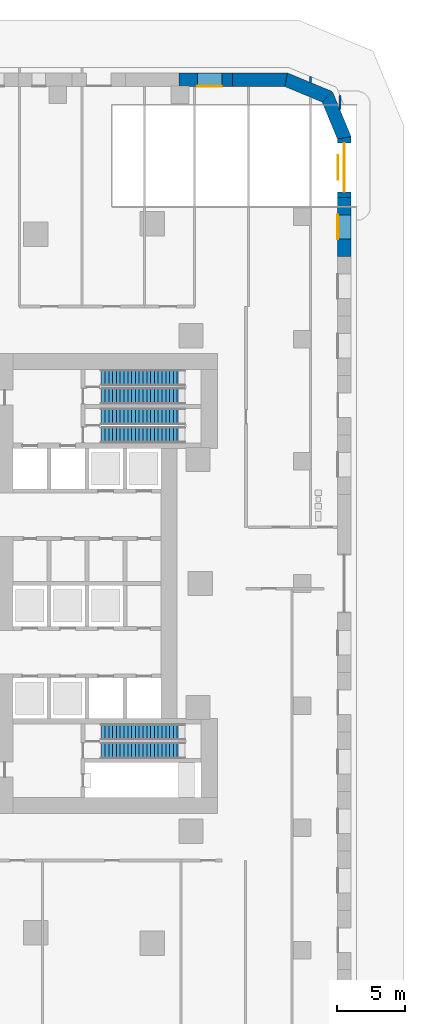
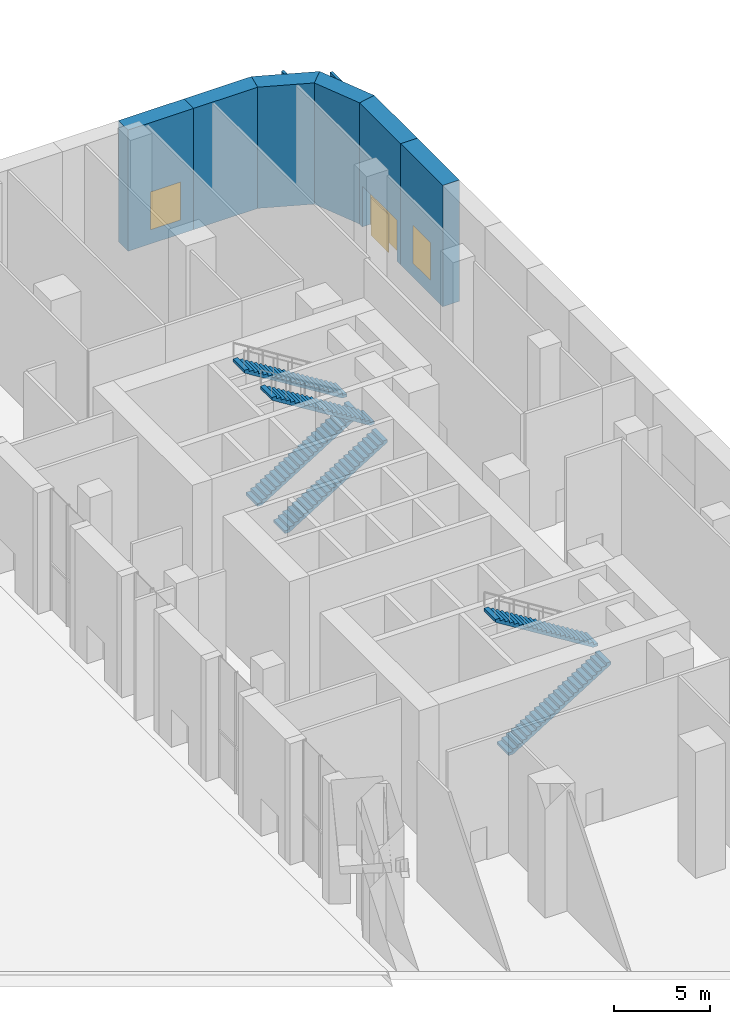
# One storey, part 14 of 22: 8 walls, 6 stair flights, 2 doors, 2 windows, 4 openings, 3 elements without a shape of their own.
"""IFC4 building model written with IfcOpenShell, lengths in metres."""

from ifc_helpers import new_model, si_unit, direction, frame, frame_2d, origin, place, context, subcontext, project, spatial, polyline, rectangle, outline, extrude, material, layer, layer_set, type_object, element, fill, aggregate, save


model = new_model("IFC4")

# Units and contexts
model_context = context("Model", 3, precision=1e-05, world=origin(), true_north=direction((0.0, 1.0)))
body_context = subcontext(model_context, "Body", "Model", "MODEL_VIEW")
ifc_project = project(units=[si_unit("LENGTHUNIT", "METRE"), si_unit("AREAUNIT", "SQUARE_METRE"), si_unit("VOLUMEUNIT", "CUBIC_METRE"), si_unit("PLANEANGLEUNIT", "RADIAN"), si_unit("MASSUNIT", "GRAM", prefix="KILO")], contexts=[model_context])

# Site, building, storey
site_placement = place(None, origin())
site = spatial("IfcSite", under=ifc_project, at=site_placement, CompositionType="ELEMENT")
building_placement = place(site_placement, origin())
building = spatial("IfcBuilding", under=site, at=building_placement, Name="Ostrand Prow Hotel Tower", CompositionType="ELEMENT")
storey_placement = place(building_placement, origin())
storey = spatial("IfcBuildingStorey", under=building, at=storey_placement, Name="L00", CompositionType="ELEMENT", Elevation=0.0)

# Walls
ifc_material_1 = material(Name="Plasterboard partition")
ifc_layer_1 = layer(ifc_material_1, 0.14990234375)
ifc_layer_set_1 = layer_set([ifc_layer_1], Name="Plasterboard partition")
wall_type_1 = type_object("IfcWallType", Name="Partition 150 room partition", PredefinedType="PARTITIONING", material=ifc_layer_set_1)
wall_1_placement = place(storey_placement, frame((72.630615234375, 36.8916015625, 0.0), z_axis=(0.0, 0.0, 1.0), x_axis=(0.0, 1.0, 0.0)))
element("IfcWall", 1, at=wall_1_placement, inside=storey, type_object=wall_type_1, Name="ROOM PARTITION", PredefinedType="PARTITIONING", context=body_context, shape_type="SweptSolid", body=[
    extrude(rectangle(XDim=0.43310546875, YDim=0.14990234375, at=frame_2d((0.216552734375, 0.0))), origin(), (0.0, 0.0, 1.0), 7.64990234375),
])
wall_2_placement = place(storey_placement, frame((74.77490234375, 34.91259765625, 0.0), z_axis=(0.0, 0.0, 1.0), x_axis=(0.0, 1.0, 0.0)))
element("IfcWall", 2, at=wall_2_placement, inside=storey, type_object=wall_type_1, Name="ROOM PARTITION", PredefinedType="PARTITIONING", context=body_context, shape_type="SweptSolid", body=[
    extrude(rectangle(XDim=1.04541015625, YDim=0.14990234375, at=frame_2d((0.522705078125, 0.0))), origin(), (0.0, 0.0, 1.0), 7.64990234375),
])

# Wall, opening, window
ifc_material_2 = material(Name="Precast concrete C40/50", Category="concrete")
ifc_layer_2 = layer(ifc_material_2, 1.0)
ifc_layer_set_2 = layer_set([ifc_layer_2], Name="Precast concrete C40/50")
wall_type_2 = type_object("IfcWallType", Name="Portal pier wall 1000 mm", PredefinedType="NOTDEFINED", material=ifc_layer_set_2)
wall_3_placement = place(storey_placement, frame((75.10009765625, 24.068603515625, 0.0), z_axis=(0.0, 0.0, 1.0), x_axis=(0.0, 1.0, 0.0)))
wall_3 = element("IfcWall", 3, at=wall_3_placement, inside=storey, type_object=wall_type_2, Name="Portal pier wall L00-PP121", PredefinedType="NOTDEFINED", context=body_context, shape_type="SweptSolid", body=[
    extrude(outline(polyline([(0.0, -0.5), (4.376220703125, -0.5), (4.376220703125, 0.5), (0.0, 0.5), (0.0, -0.5)])), origin(), (0.0, 0.0, 1.0), 7.699951171875),
])
opening_1_placement = place(wall_3_placement, frame((1.2880859375, 0.0, 0.89990234375)))
opening_1 = element("IfcOpeningElement", 4, at=opening_1_placement, cuts=wall_3, Name="Opening WP2", PredefinedType="OPENING", context=body_context, shape_type="SweptSolid", body=[
    extrude(rectangle(XDim=1.800048828125, YDim=2.39990234375, at=frame_2d((0.89990234375, 1.199951171875))), frame((0.0, 0.510009765625, 0.0), z_axis=(0.0, -1.0, 0.0), x_axis=(1.0, 0.0, 0.0)), (0.0, 0.0, 1.0), 1.02001953125),
])
ifc_material_3 = material(Name="Insulated glass in bronze anodised frame", Category="glass")
window_type = type_object("IfcWindowType", Name="Portal window 1800x2400", PartitioningType="SINGLE_PANEL", PredefinedType="WINDOW", material=ifc_material_3)
window_1_placement = place(opening_1_placement, origin())
window_1 = element("IfcWindow", 5, at=window_1_placement, inside=storey, type_object=window_type, Name="Portal window L00-PP121", OverallHeight=2.39990234375, OverallWidth=1.800048828125, PartitioningType="SINGLE_PANEL", PredefinedType="WINDOW", context=body_context, shape_type="SweptSolid", body=[
    extrude(rectangle(XDim=1.800048828125, YDim=2.39990234375, at=frame_2d((0.89990234375, 1.199951171875))), frame((0.0, 0.5, 0.0), z_axis=(0.0, -1.0, 0.0), x_axis=(1.0, 0.0, 0.0)), (0.0, 0.0, 1.0), 0.06005859375),
])
fill(opening_1, window_1)

# Wall, openings, doors
wall_4_placement = place(storey_placement, frame((75.10009765625, 28.44482421875, 0.0), z_axis=(0.0, 0.0, 1.0), x_axis=(0.0, 1.0, 0.0)))
wall_4 = element("IfcWall", 6, at=wall_4_placement, inside=storey, type_object=wall_type_2, Name="Portal pier wall L00-PP122", PredefinedType="NOTDEFINED", context=body_context, shape_type="SweptSolid", body=[
    extrude(outline(polyline([(0.0, -0.5), (4.475830078125, -0.5), (4.276611328125, 0.5), (0.0, 0.5), (0.0, -0.5)])), origin(), (0.0, 0.0, 1.0), 7.699951171875),
])
opening_2_placement = place(wall_4_placement, frame((1.2880859375, 0.0, 0.0)))
opening_2 = element("IfcOpeningElement", 7, at=opening_2_placement, cuts=wall_4, Name="Opening E09", PredefinedType="OPENING", context=body_context, shape_type="SweptSolid", body=[
    extrude(rectangle(XDim=1.800048828125, YDim=2.39990234375, at=frame_2d((0.89990234375, 1.199951171875))), frame((0.0, 0.510009765625, 0.0), z_axis=(0.0, -1.0, 0.0), x_axis=(1.0, 0.0, 0.0)), (0.0, 0.0, 1.0), 1.02001953125),
])
opening_3_placement = place(wall_4_placement, frame((0.38818359375, 0.0, 0.0)))
opening_3 = element("IfcOpeningElement", 8, at=opening_3_placement, cuts=wall_4, Name="Opening E15", PredefinedType="OPENING", context=body_context, shape_type="SweptSolid", body=[
    extrude(rectangle(XDim=3.60009765625, YDim=2.60009765625, at=frame_2d((1.800048828125, 1.300048828125))), frame((0.0, 0.510009765625, 0.0), z_axis=(0.0, -1.0, 0.0), x_axis=(1.0, 0.0, 0.0)), (0.0, 0.0, 1.0), 1.02001953125),
])
ifc_material_4 = material(Name="Bronze anodised aluminium and glass", Category="aluminium")
door_type_1 = type_object("IfcDoorType", Name="Entrance double door 1800x2400", OperationType="DOUBLE_DOOR_SINGLE_SWING", PredefinedType="DOOR", material=ifc_material_4)
door_1_placement = place(opening_2_placement, origin())
door_1 = element("IfcDoor", 9, at=door_1_placement, inside=storey, type_object=door_type_1, Name="Entrance door E09 DE1", OperationType="DOUBLE_DOOR_SINGLE_SWING", OverallHeight=2.39990234375, OverallWidth=1.800048828125, PredefinedType="DOOR", context=body_context, shape_type="SweptSolid", body=[
    extrude(rectangle(XDim=1.800048828125, YDim=2.39990234375, at=frame_2d((0.89990234375, 1.199951171875))), frame((0.0, 0.4951171875, 0.0), z_axis=(0.0, -1.0, 0.0), x_axis=(1.0, 0.0, 0.0)), (0.0, 0.0, 1.0), 0.050048828125),
])
fill(opening_2, door_1)
ifc_material_5 = material(Name="Galvanised steel", Category="steel")
door_type_2 = type_object("IfcDoorType", Name="Vehicle gate roller shutter 3600x2600", OperationType="ROLLINGUP", PredefinedType="DOOR", material=ifc_material_5)
door_2_placement = place(opening_3_placement, origin())
door_2 = element("IfcDoor", 10, at=door_2_placement, inside=storey, type_object=door_type_2, Name="Vehicle gate E15 DV2", OperationType="ROLLINGUP", OverallHeight=2.60009765625, OverallWidth=3.60009765625, PredefinedType="DOOR", context=body_context, shape_type="SweptSolid", body=[
    extrude(rectangle(XDim=3.60009765625, YDim=2.60009765625, at=frame_2d((1.800048828125, 1.300048828125))), frame((0.0, 0.02490234375, 0.0), z_axis=(0.0, -1.0, 0.0), x_axis=(1.0, 0.0, 0.0)), (0.0, 0.0, 1.0), 0.050048828125),
])
fill(opening_3, door_2)

# Walls
wall_5_placement = place(storey_placement, frame((75.10009765625, 32.821044921875, 0.0), z_axis=(0.0, 0.0, 1.0), x_axis=(-0.382724875529, 0.923862365102, 0.0)))
element("IfcWall", 11, at=wall_5_placement, inside=storey, type_object=wall_type_2, Name="Portal pier wall L00-PP123", PredefinedType="NOTDEFINED", context=body_context, shape_type="SweptSolid", body=[
    extrude(outline(polyline([(-0.099609375, -0.5), (3.48193359375, -0.5), (3.06787109375, 0.5), (0.099609375, 0.5), (-0.099609375, -0.5)])), origin(), (0.0, 0.0, 1.0), 7.699951171875),
])
wall_6_placement = place(storey_placement, frame((73.8466796875, 35.8466796875, 0.0), z_axis=(0.0, 0.0, 1.0), x_axis=(-0.923862365102, 0.382724875529, 0.0)))
element("IfcWall", 12, at=wall_6_placement, inside=storey, type_object=wall_type_2, Name="Portal pier wall L00-PP124", PredefinedType="NOTDEFINED", context=body_context, shape_type="SweptSolid", body=[
    extrude(outline(polyline([(-0.20703125, -0.5), (3.37451171875, -0.5), (3.17529296875, 0.5), (0.20703125, 0.5), (-0.20703125, -0.5)])), origin(), (0.0, 0.0, 1.0), 7.699951171875),
])
wall_7_placement = place(storey_placement, frame((70.821044921875, 37.10009765625, 0.0), z_axis=(0.0, 0.0, 1.0), x_axis=(-1.0, 0.0, 0.0)))
element("IfcWall", 13, at=wall_7_placement, inside=storey, type_object=wall_type_2, Name="Portal pier wall L00-PP125", PredefinedType="NOTDEFINED", context=body_context, shape_type="SweptSolid", body=[
    extrude(outline(polyline([(-0.099609375, -0.5), (3.9404296875, -0.5), (3.9404296875, 0.5), (0.099609375, 0.5), (-0.099609375, -0.5)])), origin(), (0.0, 0.0, 1.0), 7.699951171875),
])

# Wall, opening, window
wall_8_placement = place(storey_placement, frame((66.880615234375, 37.10009765625, 0.0), z_axis=(0.0, 0.0, 1.0), x_axis=(-1.0, 0.0, 0.0)))
wall_8 = element("IfcWall", 14, at=wall_8_placement, inside=storey, type_object=wall_type_2, Name="Portal pier wall L00-PP126", PredefinedType="NOTDEFINED", context=body_context, shape_type="SweptSolid", body=[
    extrude(outline(polyline([(0.0, -0.5), (3.9404296875, -0.5), (3.9404296875, 0.5), (0.0, 0.5), (0.0, -0.5)])), origin(), (0.0, 0.0, 1.0), 7.699951171875),
])
opening_4_placement = place(wall_8_placement, frame((0.790283203125, 0.0, 0.89990234375)))
opening_4 = element("IfcOpeningElement", 15, at=opening_4_placement, cuts=wall_8, Name="Opening WP2", PredefinedType="OPENING", context=body_context, shape_type="SweptSolid", body=[
    extrude(rectangle(XDim=1.800048828125, YDim=2.39990234375, at=frame_2d((0.89990234375, 1.199951171875))), frame((0.0, 0.510009765625, 0.0), z_axis=(0.0, -1.0, 0.0), x_axis=(1.0, 0.0, 0.0)), (0.0, 0.0, 1.0), 1.02001953125),
])
window_2_placement = place(opening_4_placement, origin())
window_2 = element("IfcWindow", 16, at=window_2_placement, inside=storey, type_object=window_type, Name="Portal window L00-PP126", OverallHeight=2.39990234375, OverallWidth=1.800048828125, PartitioningType="SINGLE_PANEL", PredefinedType="WINDOW", context=body_context, shape_type="SweptSolid", body=[
    extrude(rectangle(XDim=1.800048828125, YDim=2.39990234375, at=frame_2d((0.89990234375, 1.199951171875))), frame((0.0, 0.5, 0.0), z_axis=(0.0, -1.0, 0.0), x_axis=(1.0, 0.0, 0.0)), (0.0, 0.0, 1.0), 0.06005859375),
])
fill(opening_4, window_2)

# Stair, stair flights
ifc_material_6 = material(Name="Concrete C40/50", Category="concrete")
stair_type = type_object("IfcStairType", Name="Exit stair 1200 lower zone", PredefinedType="HALF_TURN_STAIR", material=ifc_material_6)
stair_1_placement = place(storey_placement, origin())
stair_1 = element("IfcStair", 17, at=stair_1_placement, inside=storey, type_object=stair_type, Name="L00 ST1A", PredefinedType="HALF_TURN_STAIR")
ifc_material_7 = material(Name="Concrete C40/50", Category="concrete")
stair_flight_type = type_object("IfcStairFlightType", Name="Stair flight 1200 concrete", PredefinedType="STRAIGHT", material=ifc_material_7)
stair_flight_1_placement = place(storey_placement, frame((57.199951171875, 10.949951171875, 0.0), z_axis=(0.0, 0.0, 1.0), x_axis=(1.0, 0.0, 0.0)))
stair_flight_1 = element("IfcStairFlight", 18, at=stair_flight_1_placement, type_object=stair_flight_type, Name="ST1A flight 1", NumberOfRisers=23, NumberOfTreads=22, PredefinedType="STRAIGHT", RiserHeight=0.173913043, TreadLength=0.28, context=body_context, shape_type="SweptSolid", body=[
    extrude(outline(polyline([(0.0, 0.0), (0.0, 0.173828125), (0.280029296875, 0.173828125), (0.280029296875, 0.347900390625), (0.56005859375, 0.347900390625), (0.56005859375, 0.521728515625), (0.840087890625, 0.521728515625), (0.840087890625, 0.695556640625), (1.1201171875, 0.695556640625), (1.1201171875, 0.86962890625), (1.39990234375, 0.86962890625), (1.39990234375, 1.04345703125), (1.679931640625, 1.04345703125), (1.679931640625, 1.21728515625), (1.9599609375, 1.21728515625), (1.9599609375, 1.391357421875), (2.239990234375, 1.391357421875), (2.239990234375, 1.565185546875), (2.52001953125, 1.565185546875), (2.52001953125, 1.739013671875), (2.800048828125, 1.739013671875), (2.800048828125, 1.9130859375), (3.080078125, 1.9130859375), (3.080078125, 2.0869140625), (3.360107421875, 2.0869140625), (3.360107421875, 2.260986328125), (3.639892578125, 2.260986328125), (3.639892578125, 2.434814453125), (3.919921875, 2.434814453125), (3.919921875, 2.608642578125), (4.199951171875, 2.608642578125), (4.199951171875, 2.78271484375), (4.47998046875, 2.78271484375), (4.47998046875, 2.95654296875), (4.760009765625, 2.95654296875), (4.760009765625, 3.13037109375), (5.0400390625, 3.13037109375), (5.0400390625, 3.304443359375), (5.320068359375, 3.304443359375), (5.320068359375, 3.478271484375), (5.60009765625, 3.478271484375), (5.60009765625, 3.652099609375), (5.8798828125, 3.652099609375), (5.8798828125, 3.826171875), (6.159912109375, 3.826171875), (6.159912109375, 4.0), (6.159912109375, 3.649658203125), (0.2841796875, 0.0), (0.0, 0.0)])), frame((0.0, 0.60009765625, 0.0), z_axis=(0.0, -1.0, 0.0), x_axis=(1.0, 0.0, 0.0)), (0.0, 0.0, 1.0), 1.199951171875),
])
stair_flight_2_placement = place(storey_placement, frame((63.360107421875, 12.300048828125, 4.0), z_axis=(0.0, 0.0, 1.0), x_axis=(-1.0, 0.0, 0.0)))
stair_flight_2 = element("IfcStairFlight", 19, at=stair_flight_2_placement, type_object=stair_flight_type, Name="ST1A flight 2", NumberOfRisers=23, NumberOfTreads=22, PredefinedType="STRAIGHT", RiserHeight=0.173913043, TreadLength=0.28, context=body_context, shape_type="SweptSolid", body=[
    extrude(outline(polyline([(0.0, 0.0), (0.0, 0.173828125), (0.280029296875, 0.173828125), (0.280029296875, 0.347900390625), (0.56005859375, 0.347900390625), (0.56005859375, 0.521728515625), (0.840087890625, 0.521728515625), (0.840087890625, 0.695556640625), (1.1201171875, 0.695556640625), (1.1201171875, 0.86962890625), (1.39990234375, 0.86962890625), (1.39990234375, 1.04345703125), (1.679931640625, 1.04345703125), (1.679931640625, 1.21728515625), (1.9599609375, 1.21728515625), (1.9599609375, 1.391357421875), (2.239990234375, 1.391357421875), (2.239990234375, 1.565185546875), (2.52001953125, 1.565185546875), (2.52001953125, 1.739013671875), (2.800048828125, 1.739013671875), (2.800048828125, 1.9130859375), (3.080078125, 1.9130859375), (3.080078125, 2.0869140625), (3.360107421875, 2.0869140625), (3.360107421875, 2.260986328125), (3.639892578125, 2.260986328125), (3.639892578125, 2.434814453125), (3.919921875, 2.434814453125), (3.919921875, 2.608642578125), (4.199951171875, 2.608642578125), (4.199951171875, 2.78271484375), (4.47998046875, 2.78271484375), (4.47998046875, 2.95654296875), (4.760009765625, 2.95654296875), (4.760009765625, 3.13037109375), (5.0400390625, 3.13037109375), (5.0400390625, 3.304443359375), (5.320068359375, 3.304443359375), (5.320068359375, 3.478271484375), (5.60009765625, 3.478271484375), (5.60009765625, 3.652099609375), (5.8798828125, 3.652099609375), (5.8798828125, 3.826171875), (6.159912109375, 3.826171875), (6.159912109375, 4.0), (6.159912109375, 3.649658203125), (0.2841796875, 0.0), (0.0, 0.0)])), frame((0.0, 0.60009765625, 0.0), z_axis=(0.0, -1.0, 0.0), x_axis=(1.0, 0.0, 0.0)), (0.0, 0.0, 1.0), 1.199951171875),
])
aggregate(stair_1, [stair_flight_1, stair_flight_2])

stair_2_placement = place(storey_placement, origin())
stair_2 = element("IfcStair", 20, at=stair_2_placement, inside=storey, type_object=stair_type, Name="L00 ST3A", PredefinedType="HALF_TURN_STAIR")
stair_flight_3_placement = place(storey_placement, frame((57.199951171875, 13.800048828125, 0.0), z_axis=(0.0, 0.0, 1.0), x_axis=(1.0, 0.0, 0.0)))
stair_flight_3 = element("IfcStairFlight", 21, at=stair_flight_3_placement, type_object=stair_flight_type, Name="ST3A flight 1", NumberOfRisers=23, NumberOfTreads=22, PredefinedType="STRAIGHT", RiserHeight=0.173913043, TreadLength=0.28, context=body_context, shape_type="SweptSolid", body=[
    extrude(outline(polyline([(0.0, 0.0), (0.0, 0.173828125), (0.280029296875, 0.173828125), (0.280029296875, 0.347900390625), (0.56005859375, 0.347900390625), (0.56005859375, 0.521728515625), (0.840087890625, 0.521728515625), (0.840087890625, 0.695556640625), (1.1201171875, 0.695556640625), (1.1201171875, 0.86962890625), (1.39990234375, 0.86962890625), (1.39990234375, 1.04345703125), (1.679931640625, 1.04345703125), (1.679931640625, 1.21728515625), (1.9599609375, 1.21728515625), (1.9599609375, 1.391357421875), (2.239990234375, 1.391357421875), (2.239990234375, 1.565185546875), (2.52001953125, 1.565185546875), (2.52001953125, 1.739013671875), (2.800048828125, 1.739013671875), (2.800048828125, 1.9130859375), (3.080078125, 1.9130859375), (3.080078125, 2.0869140625), (3.360107421875, 2.0869140625), (3.360107421875, 2.260986328125), (3.639892578125, 2.260986328125), (3.639892578125, 2.434814453125), (3.919921875, 2.434814453125), (3.919921875, 2.608642578125), (4.199951171875, 2.608642578125), (4.199951171875, 2.78271484375), (4.47998046875, 2.78271484375), (4.47998046875, 2.95654296875), (4.760009765625, 2.95654296875), (4.760009765625, 3.13037109375), (5.0400390625, 3.13037109375), (5.0400390625, 3.304443359375), (5.320068359375, 3.304443359375), (5.320068359375, 3.478271484375), (5.60009765625, 3.478271484375), (5.60009765625, 3.652099609375), (5.8798828125, 3.652099609375), (5.8798828125, 3.826171875), (6.159912109375, 3.826171875), (6.159912109375, 4.0), (6.159912109375, 3.649658203125), (0.2841796875, 0.0), (0.0, 0.0)])), frame((0.0, 0.60009765625, 0.0), z_axis=(0.0, -1.0, 0.0), x_axis=(1.0, 0.0, 0.0)), (0.0, 0.0, 1.0), 1.199951171875),
])
stair_flight_4_placement = place(storey_placement, frame((63.360107421875, 15.14990234375, 4.0), z_axis=(0.0, 0.0, 1.0), x_axis=(-1.0, 0.0, 0.0)))
stair_flight_4 = element("IfcStairFlight", 22, at=stair_flight_4_placement, type_object=stair_flight_type, Name="ST3A flight 2", NumberOfRisers=23, NumberOfTreads=22, PredefinedType="STRAIGHT", RiserHeight=0.173913043, TreadLength=0.28, context=body_context, shape_type="SweptSolid", body=[
    extrude(outline(polyline([(0.0, 0.0), (0.0, 0.173828125), (0.280029296875, 0.173828125), (0.280029296875, 0.347900390625), (0.56005859375, 0.347900390625), (0.56005859375, 0.521728515625), (0.840087890625, 0.521728515625), (0.840087890625, 0.695556640625), (1.1201171875, 0.695556640625), (1.1201171875, 0.86962890625), (1.39990234375, 0.86962890625), (1.39990234375, 1.04345703125), (1.679931640625, 1.04345703125), (1.679931640625, 1.21728515625), (1.9599609375, 1.21728515625), (1.9599609375, 1.391357421875), (2.239990234375, 1.391357421875), (2.239990234375, 1.565185546875), (2.52001953125, 1.565185546875), (2.52001953125, 1.739013671875), (2.800048828125, 1.739013671875), (2.800048828125, 1.9130859375), (3.080078125, 1.9130859375), (3.080078125, 2.0869140625), (3.360107421875, 2.0869140625), (3.360107421875, 2.260986328125), (3.639892578125, 2.260986328125), (3.639892578125, 2.434814453125), (3.919921875, 2.434814453125), (3.919921875, 2.608642578125), (4.199951171875, 2.608642578125), (4.199951171875, 2.78271484375), (4.47998046875, 2.78271484375), (4.47998046875, 2.95654296875), (4.760009765625, 2.95654296875), (4.760009765625, 3.13037109375), (5.0400390625, 3.13037109375), (5.0400390625, 3.304443359375), (5.320068359375, 3.304443359375), (5.320068359375, 3.478271484375), (5.60009765625, 3.478271484375), (5.60009765625, 3.652099609375), (5.8798828125, 3.652099609375), (5.8798828125, 3.826171875), (6.159912109375, 3.826171875), (6.159912109375, 4.0), (6.159912109375, 3.649658203125), (0.2841796875, 0.0), (0.0, 0.0)])), frame((0.0, 0.60009765625, 0.0), z_axis=(0.0, -1.0, 0.0), x_axis=(1.0, 0.0, 0.0)), (0.0, 0.0, 1.0), 1.199951171875),
])
aggregate(stair_2, [stair_flight_3, stair_flight_4])

stair_3_placement = place(storey_placement, origin())
stair_3 = element("IfcStair", 23, at=stair_3_placement, inside=storey, type_object=stair_type, Name="L00 ST2A", PredefinedType="HALF_TURN_STAIR")
stair_flight_5_placement = place(storey_placement, frame((57.199951171875, -12.300048828125, 0.0), z_axis=(0.0, 0.0, 1.0), x_axis=(1.0, 0.0, 0.0)))
stair_flight_5 = element("IfcStairFlight", 24, at=stair_flight_5_placement, type_object=stair_flight_type, Name="ST2A flight 1", NumberOfRisers=23, NumberOfTreads=22, PredefinedType="STRAIGHT", RiserHeight=0.173913043, TreadLength=0.28, context=body_context, shape_type="SweptSolid", body=[
    extrude(outline(polyline([(0.0, 0.0), (0.0, 0.173828125), (0.280029296875, 0.173828125), (0.280029296875, 0.347900390625), (0.56005859375, 0.347900390625), (0.56005859375, 0.521728515625), (0.840087890625, 0.521728515625), (0.840087890625, 0.695556640625), (1.1201171875, 0.695556640625), (1.1201171875, 0.86962890625), (1.39990234375, 0.86962890625), (1.39990234375, 1.04345703125), (1.679931640625, 1.04345703125), (1.679931640625, 1.21728515625), (1.9599609375, 1.21728515625), (1.9599609375, 1.391357421875), (2.239990234375, 1.391357421875), (2.239990234375, 1.565185546875), (2.52001953125, 1.565185546875), (2.52001953125, 1.739013671875), (2.800048828125, 1.739013671875), (2.800048828125, 1.9130859375), (3.080078125, 1.9130859375), (3.080078125, 2.0869140625), (3.360107421875, 2.0869140625), (3.360107421875, 2.260986328125), (3.639892578125, 2.260986328125), (3.639892578125, 2.434814453125), (3.919921875, 2.434814453125), (3.919921875, 2.608642578125), (4.199951171875, 2.608642578125), (4.199951171875, 2.78271484375), (4.47998046875, 2.78271484375), (4.47998046875, 2.95654296875), (4.760009765625, 2.95654296875), (4.760009765625, 3.13037109375), (5.0400390625, 3.13037109375), (5.0400390625, 3.304443359375), (5.320068359375, 3.304443359375), (5.320068359375, 3.478271484375), (5.60009765625, 3.478271484375), (5.60009765625, 3.652099609375), (5.8798828125, 3.652099609375), (5.8798828125, 3.826171875), (6.159912109375, 3.826171875), (6.159912109375, 4.0), (6.159912109375, 3.649658203125), (0.2841796875, 0.0), (0.0, 0.0)])), frame((0.0, 0.60009765625, 0.0), z_axis=(0.0, -1.0, 0.0), x_axis=(1.0, 0.0, 0.0)), (0.0, 0.0, 1.0), 1.199951171875),
])
stair_flight_6_placement = place(storey_placement, frame((63.360107421875, -10.949951171875, 4.0), z_axis=(0.0, 0.0, 1.0), x_axis=(-1.0, 0.0, 0.0)))
stair_flight_6 = element("IfcStairFlight", 25, at=stair_flight_6_placement, type_object=stair_flight_type, Name="ST2A flight 2", NumberOfRisers=23, NumberOfTreads=22, PredefinedType="STRAIGHT", RiserHeight=0.173913043, TreadLength=0.28, context=body_context, shape_type="SweptSolid", body=[
    extrude(outline(polyline([(0.0, 0.0), (0.0, 0.173828125), (0.280029296875, 0.173828125), (0.280029296875, 0.347900390625), (0.56005859375, 0.347900390625), (0.56005859375, 0.521728515625), (0.840087890625, 0.521728515625), (0.840087890625, 0.695556640625), (1.1201171875, 0.695556640625), (1.1201171875, 0.86962890625), (1.39990234375, 0.86962890625), (1.39990234375, 1.04345703125), (1.679931640625, 1.04345703125), (1.679931640625, 1.21728515625), (1.9599609375, 1.21728515625), (1.9599609375, 1.391357421875), (2.239990234375, 1.391357421875), (2.239990234375, 1.565185546875), (2.52001953125, 1.565185546875), (2.52001953125, 1.739013671875), (2.800048828125, 1.739013671875), (2.800048828125, 1.9130859375), (3.080078125, 1.9130859375), (3.080078125, 2.0869140625), (3.360107421875, 2.0869140625), (3.360107421875, 2.260986328125), (3.639892578125, 2.260986328125), (3.639892578125, 2.434814453125), (3.919921875, 2.434814453125), (3.919921875, 2.608642578125), (4.199951171875, 2.608642578125), (4.199951171875, 2.78271484375), (4.47998046875, 2.78271484375), (4.47998046875, 2.95654296875), (4.760009765625, 2.95654296875), (4.760009765625, 3.13037109375), (5.0400390625, 3.13037109375), (5.0400390625, 3.304443359375), (5.320068359375, 3.304443359375), (5.320068359375, 3.478271484375), (5.60009765625, 3.478271484375), (5.60009765625, 3.652099609375), (5.8798828125, 3.652099609375), (5.8798828125, 3.826171875), (6.159912109375, 3.826171875), (6.159912109375, 4.0), (6.159912109375, 3.649658203125), (0.2841796875, 0.0), (0.0, 0.0)])), frame((0.0, 0.60009765625, 0.0), z_axis=(0.0, -1.0, 0.0), x_axis=(1.0, 0.0, 0.0)), (0.0, 0.0, 1.0), 1.199951171875),
])
aggregate(stair_3, [stair_flight_5, stair_flight_6])

save(model, "model.ifc")
